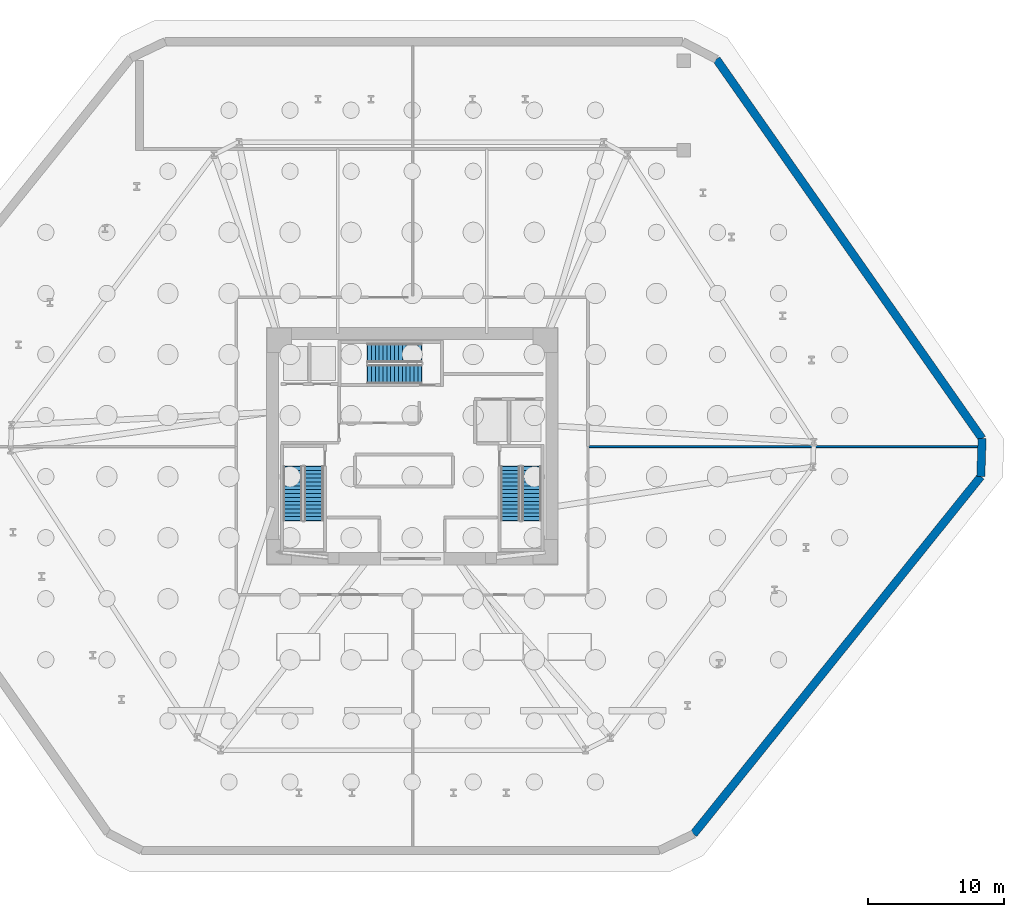
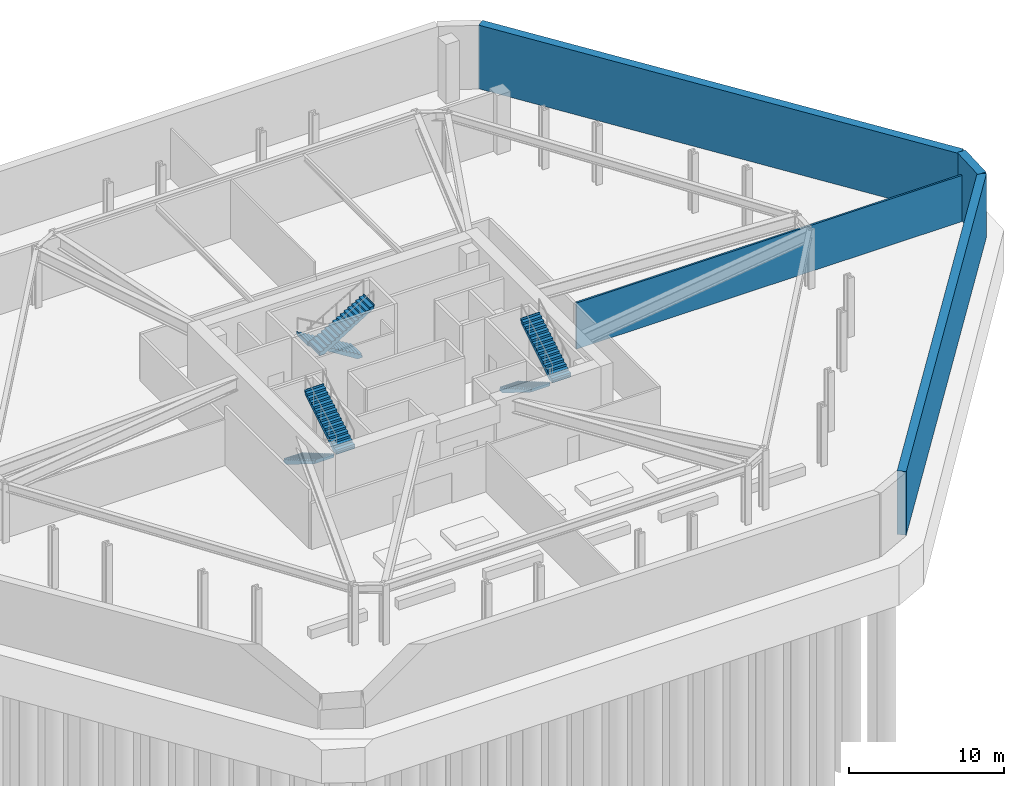
# One storey, part 6 of 8: 6 stair flights, 4 walls, 3 elements without a shape of their own.
"""IFC4 building model written with IfcOpenShell, lengths in metres."""

from ifc_helpers import new_model, si_unit, direction, frame, frame_2d, origin, place, context, subcontext, project, spatial, polyline, rectangle, outline, extrude, material, layer, layer_set, type_object, element, aggregate, save


model = new_model("IFC4")

# Units and contexts
model_context = context("Model", 3, precision=1e-05, world=origin(), true_north=direction((0.0, 1.0)))
body_context = subcontext(model_context, "Body", "Model", "MODEL_VIEW")
ifc_project = project(units=[si_unit("LENGTHUNIT", "METRE"), si_unit("AREAUNIT", "SQUARE_METRE"), si_unit("VOLUMEUNIT", "CUBIC_METRE"), si_unit("PLANEANGLEUNIT", "RADIAN"), si_unit("MASSUNIT", "GRAM", prefix="KILO")], contexts=[model_context])

# Site, building, storey
site_placement = place(None, origin())
site = spatial("IfcSite", under=ifc_project, at=site_placement, CompositionType="ELEMENT")
building_placement = place(site_placement, origin())
building = spatial("IfcBuilding", under=site, at=building_placement, Name="Durnholm Broadcast Tower", CompositionType="ELEMENT")
storey_placement = place(building_placement, frame((0.0, 0.0, -10.0)))
storey = spatial("IfcBuildingStorey", under=building, at=storey_placement, Name="B02", CompositionType="ELEMENT", Elevation=-10.0)

# Walls
ifc_material_1 = material(Name="Gypsum Metal Stud Partition", Category="concrete")
ifc_layer_1 = layer(ifc_material_1, 0.135009765625)
ifc_layer_set_1 = layer_set([ifc_layer_1], Name="Gypsum Metal Stud Partition")
wall_type_1 = type_object("IfcWallType", Name="WALL-PART-135", PredefinedType="PARTITIONING", material=ifc_layer_set_1)
wall_1_placement = place(storey_placement, frame((41.6708984375, -0.041259765625, 0.0), z_axis=(0.0, 0.0, 1.0), x_axis=(-0.999999999091, 4.2634469e-05, 0.0)))
element("IfcWall", 1, at=wall_1_placement, inside=storey, type_object=wall_type_1, Name="B02 room dividing partition 3.5", PredefinedType="PARTITIONING", context=body_context, shape_type="SweptSolid", body=[
    extrude(rectangle(XDim=28.6318359375, YDim=0.135009765625, at=frame_2d((14.31591796875, 0.0))), origin(), (0.0, 0.0, 1.0), 3.62939453125),
])
ifc_material_2 = material(Name="Concrete C50/60", Category="concrete")
ifc_layer_2 = layer(ifc_material_2, 0.60009765625)
ifc_layer_set_2 = layer_set([ifc_layer_2], Name="Concrete C50/60")
wall_type_2 = type_object("IfcWallType", Name="WALL-RET-600", PredefinedType="USERDEFINED", material=ifc_layer_set_2)
wall_2_placement = place(storey_placement, frame((20.736572265625, -28.589599609375, 0.0), z_axis=(0.0, 0.0, 1.0), x_axis=(0.626280274315, 0.779597984864, 0.0)))
element("IfcWall", 2, at=wall_2_placement, inside=storey, type_object=wall_type_2, Name="B02 perimeter retaining wall 4", ObjectType="RETAININGWALL", PredefinedType="USERDEFINED", context=body_context, shape_type="SweptSolid", body=[
    extrude(rectangle(XDim=33.79833984375, YDim=0.60009765625, at=frame_2d((16.899169921875, 0.0))), origin(), (0.0, 0.0, 1.0), 5.0),
])
wall_3_placement = place(storey_placement, frame((41.90380859375, -2.240478515625, 0.0), z_axis=(0.0, 0.0, 1.0), x_axis=(0.032870651185, 0.999459614137, 0.0)))
element("IfcWall", 3, at=wall_3_placement, inside=storey, type_object=wall_type_2, Name="B02 perimeter retaining wall 5", ObjectType="RETAININGWALL", PredefinedType="USERDEFINED", context=body_context, shape_type="SweptSolid", body=[
    extrude(rectangle(XDim=2.800048828125, YDim=0.60009765625, at=frame_2d((1.39990234375, 0.0))), origin(), (0.0, 0.0, 1.0), 5.0),
])
wall_4_placement = place(storey_placement, frame((41.995849609375, 0.55810546875, 0.0), z_axis=(0.0, 0.0, 1.0), x_axis=(-0.573667370151, 0.819088364234, 0.0)))
element("IfcWall", 4, at=wall_4_placement, inside=storey, type_object=wall_type_2, Name="B02 perimeter retaining wall 6", ObjectType="RETAININGWALL", PredefinedType="USERDEFINED", context=body_context, shape_type="SweptSolid", body=[
    extrude(rectangle(XDim=34.1220703125, YDim=0.60009765625, at=frame_2d((17.06103515625, 0.0))), origin(), (0.0, 0.0, 1.0), 5.0),
])

# Stair, stair flights
stair_type = type_object("IfcStairType", Name="STAIR-DL-30R1667", PredefinedType="HALF_TURN_STAIR", material=ifc_material_2)
stair_1_placement = place(storey_placement, origin())
stair_1 = element("IfcStair", 5, at=stair_1_placement, inside=storey, type_object=stair_type, Name="B02 ST-1", PredefinedType="HALF_TURN_STAIR")
stair_flight_type = type_object("IfcStairFlightType", Name="FLIGHT-DL-30R1667", PredefinedType="STRAIGHT", material=ifc_material_2)
stair_flight_1_placement = place(storey_placement, frame((-8.800048828125, -1.5, 0.0), z_axis=(0.0, 0.0, 1.0), x_axis=(0.0, -1.0, 0.0)))
stair_flight_1 = element("IfcStairFlight", 6, at=stair_flight_1_placement, type_object=stair_flight_type, Name="ST-1 flight 1", NumberOfRisers=15, NumberOfTreads=14, PredefinedType="STRAIGHT", RiserHeight=0.166666667, TreadLength=0.285, context=body_context, shape_type="SweptSolid", body=[
    extrude(outline(polyline([(-0.0400390625, -0.14990234375), (-0.0400390625, 0.0), (0.0, 0.0), (0.0, 0.166748046875), (0.284912109375, 0.166748046875), (0.284912109375, 0.333251953125), (0.570068359375, 0.333251953125), (0.570068359375, 0.5), (0.85498046875, 0.5), (0.85498046875, 0.666748046875), (1.139892578125, 0.666748046875), (1.139892578125, 0.833251953125), (1.425048828125, 0.833251953125), (1.425048828125, 1.0), (1.7099609375, 1.0), (1.7099609375, 1.166748046875), (1.9951171875, 1.166748046875), (1.9951171875, 1.333251953125), (2.280029296875, 1.333251953125), (2.280029296875, 1.5), (2.56494140625, 1.5), (2.56494140625, 1.666748046875), (2.85009765625, 1.666748046875), (2.85009765625, 1.833251953125), (3.135009765625, 1.833251953125), (3.135009765625, 2.0), (3.419921875, 2.0), (3.419921875, 2.166748046875), (3.705078125, 2.166748046875), (3.705078125, 2.333251953125), (3.989990234375, 2.333251953125), (3.989990234375, 2.5), (4.030029296875, 2.5), (4.030029296875, 2.35009765625), (3.989990234375, 2.15966796875), (0.296875, -0.14990234375), (-0.0400390625, -0.14990234375)])), frame((0.0, 0.699951171875, 0.0), z_axis=(0.0, -1.0, 0.0), x_axis=(1.0, 0.0, 0.0)), (0.0, 0.0, 1.0), 1.39990234375),
])
stair_flight_2_placement = place(storey_placement, frame((-7.239990234375, -5.489990234375, 2.5), z_axis=(0.0, 0.0, 1.0), x_axis=(0.0, 1.0, 0.0)))
stair_flight_2 = element("IfcStairFlight", 7, at=stair_flight_2_placement, type_object=stair_flight_type, Name="ST-1 flight 2", NumberOfRisers=15, NumberOfTreads=14, PredefinedType="STRAIGHT", RiserHeight=0.166666667, TreadLength=0.285, context=body_context, shape_type="SweptSolid", body=[
    extrude(outline(polyline([(-0.0400390625, -0.14990234375), (-0.0400390625, 0.0), (0.0, 0.0), (0.0, 0.166748046875), (0.284912109375, 0.166748046875), (0.284912109375, 0.333251953125), (0.570068359375, 0.333251953125), (0.570068359375, 0.5), (0.85498046875, 0.5), (0.85498046875, 0.666748046875), (1.139892578125, 0.666748046875), (1.139892578125, 0.833251953125), (1.425048828125, 0.833251953125), (1.425048828125, 1.0), (1.7099609375, 1.0), (1.7099609375, 1.166748046875), (1.9951171875, 1.166748046875), (1.9951171875, 1.333251953125), (2.280029296875, 1.333251953125), (2.280029296875, 1.5), (2.56494140625, 1.5), (2.56494140625, 1.666748046875), (2.85009765625, 1.666748046875), (2.85009765625, 1.833251953125), (3.135009765625, 1.833251953125), (3.135009765625, 2.0), (3.419921875, 2.0), (3.419921875, 2.166748046875), (3.705078125, 2.166748046875), (3.705078125, 2.333251953125), (3.989990234375, 2.333251953125), (3.989990234375, 2.5), (4.030029296875, 2.5), (4.030029296875, 2.35009765625), (3.989990234375, 2.15966796875), (0.296875, -0.14990234375), (-0.0400390625, -0.14990234375)])), frame((0.0, 0.699951171875, 0.0), z_axis=(0.0, -1.0, 0.0), x_axis=(1.0, 0.0, 0.0)), (0.0, 0.0, 1.0), 1.39990234375),
])
aggregate(stair_1, [stair_flight_1, stair_flight_2])

stair_2_placement = place(storey_placement, origin())
stair_2 = element("IfcStair", 8, at=stair_2_placement, inside=storey, type_object=stair_type, Name="B02 ST-2", PredefinedType="HALF_TURN_STAIR")
stair_flight_3_placement = place(storey_placement, frame((7.239990234375, -1.5, 0.0), z_axis=(0.0, 0.0, 1.0), x_axis=(0.0, -1.0, 0.0)))
stair_flight_3 = element("IfcStairFlight", 9, at=stair_flight_3_placement, type_object=stair_flight_type, Name="ST-2 flight 1", NumberOfRisers=15, NumberOfTreads=14, PredefinedType="STRAIGHT", RiserHeight=0.166666667, TreadLength=0.285, context=body_context, shape_type="SweptSolid", body=[
    extrude(outline(polyline([(-0.0400390625, -0.14990234375), (-0.0400390625, 0.0), (0.0, 0.0), (0.0, 0.166748046875), (0.284912109375, 0.166748046875), (0.284912109375, 0.333251953125), (0.570068359375, 0.333251953125), (0.570068359375, 0.5), (0.85498046875, 0.5), (0.85498046875, 0.666748046875), (1.139892578125, 0.666748046875), (1.139892578125, 0.833251953125), (1.425048828125, 0.833251953125), (1.425048828125, 1.0), (1.7099609375, 1.0), (1.7099609375, 1.166748046875), (1.9951171875, 1.166748046875), (1.9951171875, 1.333251953125), (2.280029296875, 1.333251953125), (2.280029296875, 1.5), (2.56494140625, 1.5), (2.56494140625, 1.666748046875), (2.85009765625, 1.666748046875), (2.85009765625, 1.833251953125), (3.135009765625, 1.833251953125), (3.135009765625, 2.0), (3.419921875, 2.0), (3.419921875, 2.166748046875), (3.705078125, 2.166748046875), (3.705078125, 2.333251953125), (3.989990234375, 2.333251953125), (3.989990234375, 2.5), (4.030029296875, 2.5), (4.030029296875, 2.35009765625), (3.989990234375, 2.15966796875), (0.296875, -0.14990234375), (-0.0400390625, -0.14990234375)])), frame((0.0, 0.699951171875, 0.0), z_axis=(0.0, -1.0, 0.0), x_axis=(1.0, 0.0, 0.0)), (0.0, 0.0, 1.0), 1.39990234375),
])
stair_flight_4_placement = place(storey_placement, frame((8.800048828125, -5.489990234375, 2.5), z_axis=(0.0, 0.0, 1.0), x_axis=(0.0, 1.0, 0.0)))
stair_flight_4 = element("IfcStairFlight", 10, at=stair_flight_4_placement, type_object=stair_flight_type, Name="ST-2 flight 2", NumberOfRisers=15, NumberOfTreads=14, PredefinedType="STRAIGHT", RiserHeight=0.166666667, TreadLength=0.285, context=body_context, shape_type="SweptSolid", body=[
    extrude(outline(polyline([(-0.0400390625, -0.14990234375), (-0.0400390625, 0.0), (0.0, 0.0), (0.0, 0.166748046875), (0.284912109375, 0.166748046875), (0.284912109375, 0.333251953125), (0.570068359375, 0.333251953125), (0.570068359375, 0.5), (0.85498046875, 0.5), (0.85498046875, 0.666748046875), (1.139892578125, 0.666748046875), (1.139892578125, 0.833251953125), (1.425048828125, 0.833251953125), (1.425048828125, 1.0), (1.7099609375, 1.0), (1.7099609375, 1.166748046875), (1.9951171875, 1.166748046875), (1.9951171875, 1.333251953125), (2.280029296875, 1.333251953125), (2.280029296875, 1.5), (2.56494140625, 1.5), (2.56494140625, 1.666748046875), (2.85009765625, 1.666748046875), (2.85009765625, 1.833251953125), (3.135009765625, 1.833251953125), (3.135009765625, 2.0), (3.419921875, 2.0), (3.419921875, 2.166748046875), (3.705078125, 2.166748046875), (3.705078125, 2.333251953125), (3.989990234375, 2.333251953125), (3.989990234375, 2.5), (4.030029296875, 2.5), (4.030029296875, 2.35009765625), (3.989990234375, 2.15966796875), (0.296875, -0.14990234375), (-0.0400390625, -0.14990234375)])), frame((0.0, 0.699951171875, 0.0), z_axis=(0.0, -1.0, 0.0), x_axis=(1.0, 0.0, 0.0)), (0.0, 0.0, 1.0), 1.39990234375),
])
aggregate(stair_2, [stair_flight_3, stair_flight_4])

stair_3_placement = place(storey_placement, origin())
stair_3 = element("IfcStair", 11, at=stair_3_placement, inside=storey, type_object=stair_type, Name="B02 ST-3", PredefinedType="HALF_TURN_STAIR")
stair_flight_5_placement = place(storey_placement, frame((0.699951171875, 6.860107421875, 0.0), z_axis=(0.0, 0.0, 1.0), x_axis=(-1.0, 0.0, 0.0)))
stair_flight_5 = element("IfcStairFlight", 12, at=stair_flight_5_placement, type_object=stair_flight_type, Name="ST-3 flight 1", NumberOfRisers=15, NumberOfTreads=14, PredefinedType="STRAIGHT", RiserHeight=0.166666667, TreadLength=0.285, context=body_context, shape_type="SweptSolid", body=[
    extrude(outline(polyline([(-0.0400390625, -0.14990234375), (-0.0400390625, 0.0), (0.0, 0.0), (0.0, 0.166748046875), (0.284912109375, 0.166748046875), (0.284912109375, 0.333251953125), (0.570068359375, 0.333251953125), (0.570068359375, 0.5), (0.85498046875, 0.5), (0.85498046875, 0.666748046875), (1.139892578125, 0.666748046875), (1.139892578125, 0.833251953125), (1.425048828125, 0.833251953125), (1.425048828125, 1.0), (1.7099609375, 1.0), (1.7099609375, 1.166748046875), (1.9951171875, 1.166748046875), (1.9951171875, 1.333251953125), (2.280029296875, 1.333251953125), (2.280029296875, 1.5), (2.56494140625, 1.5), (2.56494140625, 1.666748046875), (2.85009765625, 1.666748046875), (2.85009765625, 1.833251953125), (3.135009765625, 1.833251953125), (3.135009765625, 2.0), (3.419921875, 2.0), (3.419921875, 2.166748046875), (3.705078125, 2.166748046875), (3.705078125, 2.333251953125), (3.989990234375, 2.333251953125), (3.989990234375, 2.5), (4.030029296875, 2.5), (4.030029296875, 2.35009765625), (3.989990234375, 2.15966796875), (0.296875, -0.14990234375), (-0.0400390625, -0.14990234375)])), frame((0.0, 0.699951171875, 0.0), z_axis=(0.0, -1.0, 0.0), x_axis=(1.0, 0.0, 0.0)), (0.0, 0.0, 1.0), 1.39990234375),
])
stair_flight_6_placement = place(storey_placement, frame((-3.2900390625, 5.300048828125, 2.5), z_axis=(0.0, 0.0, 1.0), x_axis=(1.0, 0.0, 0.0)))
stair_flight_6 = element("IfcStairFlight", 13, at=stair_flight_6_placement, type_object=stair_flight_type, Name="ST-3 flight 2", NumberOfRisers=15, NumberOfTreads=14, PredefinedType="STRAIGHT", RiserHeight=0.166666667, TreadLength=0.285, context=body_context, shape_type="SweptSolid", body=[
    extrude(outline(polyline([(-0.0400390625, -0.14990234375), (-0.0400390625, 0.0), (0.0, 0.0), (0.0, 0.166748046875), (0.284912109375, 0.166748046875), (0.284912109375, 0.333251953125), (0.570068359375, 0.333251953125), (0.570068359375, 0.5), (0.85498046875, 0.5), (0.85498046875, 0.666748046875), (1.139892578125, 0.666748046875), (1.139892578125, 0.833251953125), (1.425048828125, 0.833251953125), (1.425048828125, 1.0), (1.7099609375, 1.0), (1.7099609375, 1.166748046875), (1.9951171875, 1.166748046875), (1.9951171875, 1.333251953125), (2.280029296875, 1.333251953125), (2.280029296875, 1.5), (2.56494140625, 1.5), (2.56494140625, 1.666748046875), (2.85009765625, 1.666748046875), (2.85009765625, 1.833251953125), (3.135009765625, 1.833251953125), (3.135009765625, 2.0), (3.419921875, 2.0), (3.419921875, 2.166748046875), (3.705078125, 2.166748046875), (3.705078125, 2.333251953125), (3.989990234375, 2.333251953125), (3.989990234375, 2.5), (4.030029296875, 2.5), (4.030029296875, 2.35009765625), (3.989990234375, 2.15966796875), (0.296875, -0.14990234375), (-0.0400390625, -0.14990234375)])), frame((0.0, 0.699951171875, 0.0), z_axis=(0.0, -1.0, 0.0), x_axis=(1.0, 0.0, 0.0)), (0.0, 0.0, 1.0), 1.39990234375),
])
aggregate(stair_3, [stair_flight_5, stair_flight_6])

save(model, "model.ifc")
